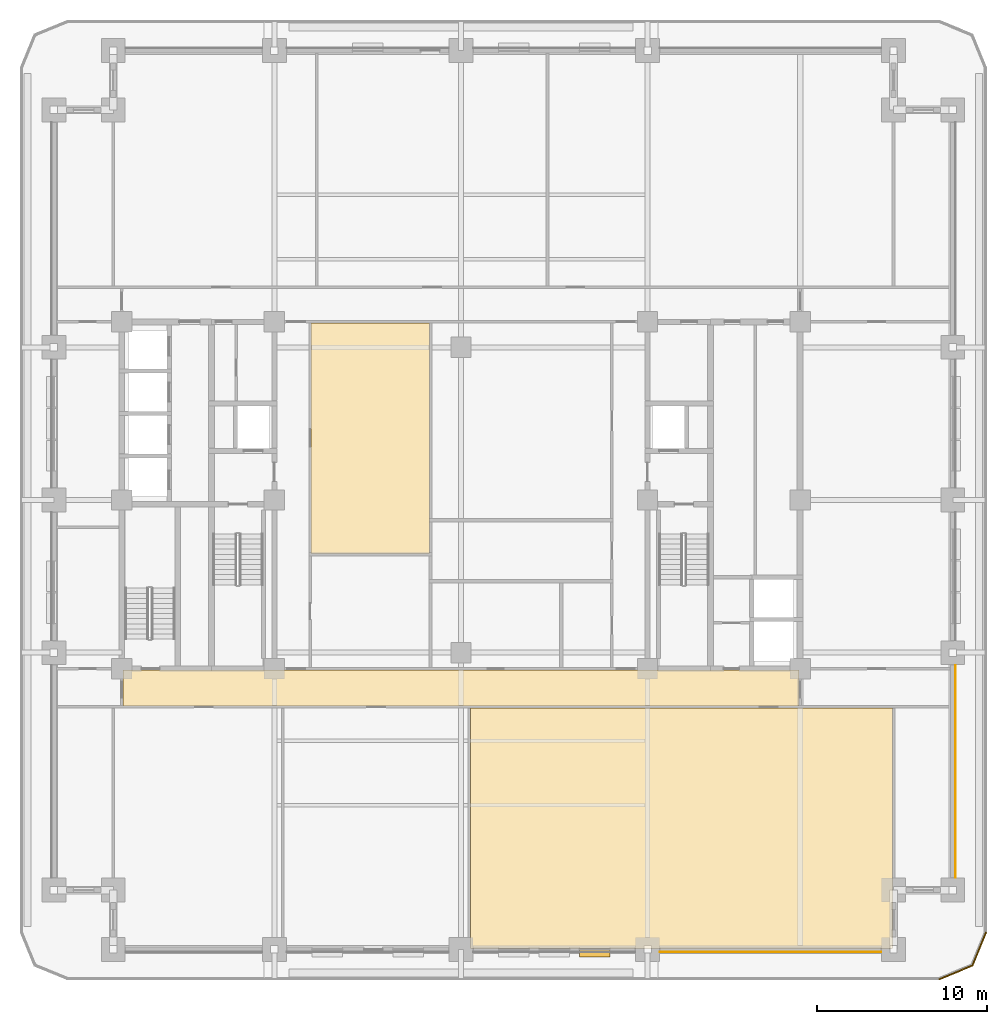
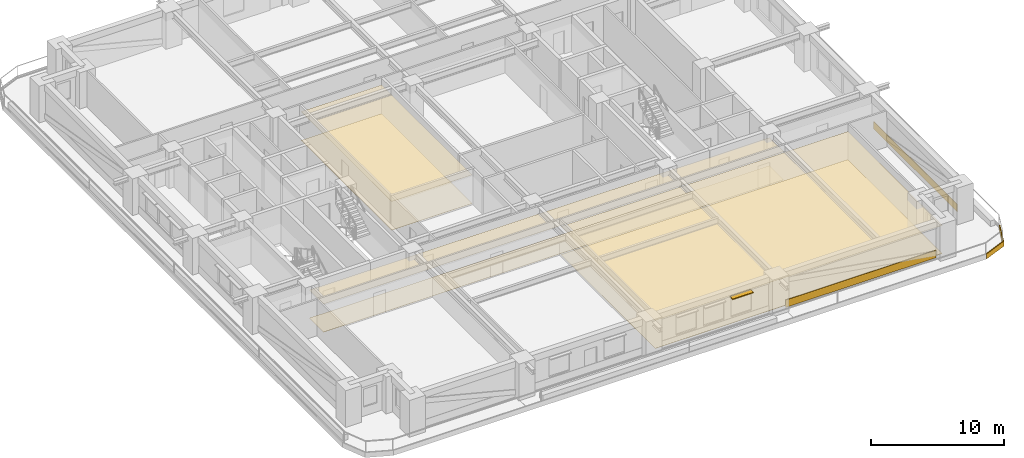
# One storey, part 11 of 13: 10 coverings, 1 shading device.
"""IFC4 building model written with IfcOpenShell, lengths in metres."""

from ifc_helpers import new_model, si_unit, direction, frame, frame_2d, origin, place, context, subcontext, project, spatial, polyline, rectangle, outline, extrude, material, layer, layer_set, type_object, element, save


model = new_model("IFC4")

# Units and contexts
model_context = context("Model", 3, precision=1e-05, world=origin(), true_north=direction((0.0, 1.0)))
body_context = subcontext(model_context, "Body", "Model", "MODEL_VIEW")
ifc_project = project(units=[si_unit("LENGTHUNIT", "METRE"), si_unit("AREAUNIT", "SQUARE_METRE"), si_unit("VOLUMEUNIT", "CUBIC_METRE"), si_unit("PLANEANGLEUNIT", "RADIAN"), si_unit("MASSUNIT", "GRAM", prefix="KILO")], contexts=[model_context])

# Site, building, storey
site_placement = place(None, origin())
site = spatial("IfcSite", under=ifc_project, at=site_placement, CompositionType="ELEMENT")
building_placement = place(site_placement, origin())
building = spatial("IfcBuilding", under=site, at=building_placement, Name="Zulmaris Gate Convention Tower", CompositionType="ELEMENT")
storey_placement = place(building_placement, frame((0.0, 0.0, 34.340087890625)))
storey = spatial("IfcBuildingStorey", under=building, at=storey_placement, Name="L07", CompositionType="ELEMENT", Elevation=34.340087890625)

# Coverings
ifc_material_1 = material(Name="Precast concrete C40/50", Category="concrete")
ifc_layer_1 = layer(ifc_material_1, 0.0400390625, Name="Precast concrete C40/50")
ifc_layer_set_1 = layer_set([ifc_layer_1], Name="Precast concrete C40/50")
covering_type_1 = type_object("IfcCoveringType", Name="CLAD-SPANDREL-PRECAST", PredefinedType="CLADDING", material=ifc_layer_set_1)
covering_1_placement = place(storey_placement, frame((11.72998046875, -26.64990234375, 0.0), z_axis=(0.0, 0.0, 1.0), x_axis=(1.0, 0.0, 0.0)))
element("IfcCovering", 1, at=covering_1_placement, inside=storey, type_object=covering_type_1, Name="CLD-L07-S-3_0", PredefinedType="CLADDING", context=body_context, shape_type="SweptSolid", body=[
    extrude(rectangle(XDim=13.0400390625, YDim=0.0400390625, at=frame_2d((6.52001953125, 0.0))), origin(), (0.0, 0.0, 1.0), 0.679931640625),
])
covering_2_placement = place(storey_placement, frame((29.14990234375, -22.27001953125, 0.0), z_axis=(0.0, 0.0, 1.0), x_axis=(0.0, 1.0, 0.0)))
element("IfcCovering", 2, at=covering_2_placement, inside=storey, type_object=covering_type_1, Name="CLD-L07-E-0_0", PredefinedType="CLADDING", context=body_context, shape_type="SweptSolid", body=[
    extrude(rectangle(XDim=12.5400390625, YDim=0.0400390625, at=frame_2d((6.27001953125, 0.0))), origin(), (0.0, 0.0, 1.0), 0.679931640625),
])
ifc_material_2 = material(Name="White Glazed Architectural Precast Concrete C40/50", Category="concrete")
ifc_layer_2 = layer(ifc_material_2, 0.080078125, Name="White Glazed Architectural Precast Concrete C40/50")
ifc_layer_set_2 = layer_set([ifc_layer_2], Name="White Glazed Architectural Precast Concrete C40/50")
covering_type_2 = type_object("IfcCoveringType", Name="CLAD-TRAY-FASCIA", PredefinedType="CLADDING", material=ifc_layer_set_2)
covering_3_placement = place(storey_placement, frame((28.184814453125, -28.262939453125, -0.340087890625), z_axis=(0.0, 0.0, 1.0), x_axis=(0.923873803533, 0.382697263049, 0.0)))
element("IfcCovering", 3, at=covering_3_placement, inside=storey, type_object=covering_type_2, Name="FSC-L07-TR-03", PredefinedType="CLADDING", context=body_context, shape_type="SweptSolid", body=[
    extrude(rectangle(XDim=2.142822265625, YDim=0.080078125, at=frame_2d((1.0712890625, 0.0))), origin(), (0.0, 0.0, 1.0), 0.460205078125),
])
covering_4_placement = place(storey_placement, frame((30.142822265625, -27.464599609375, -0.340087890625), z_axis=(0.0, 0.0, 1.0), x_axis=(0.382656984709, 0.923890487046, 0.0)))
element("IfcCovering", 4, at=covering_4_placement, inside=storey, type_object=covering_type_2, Name="FSC-L07-TR-04", PredefinedType="CLADDING", context=body_context, shape_type="SweptSolid", body=[
    extrude(rectangle(XDim=2.14306640625, YDim=0.080078125, at=frame_2d((1.071533203125, 0.0))), origin(), (0.0, 0.0, 1.0), 0.460205078125),
])
ifc_material_3 = material(Name="Mineral Fibre Acoustic Ceiling Tile")
ifc_layer_3 = layer(ifc_material_3, 0.02001953125, Name="Mineral Fibre Acoustic Ceiling Tile")
ifc_layer_set_3 = layer_set([ifc_layer_3], Name="Mineral Fibre Acoustic Ceiling Tile")
covering_type_3 = type_object("IfcCoveringType", Name="CLG-ACOUSTIC-600", PredefinedType="CEILING", material=ifc_layer_set_3)
covering_5_placement = place(storey_placement, frame((0.0, 0.0, 2.577880859375)))
element("IfcCovering", 5, at=covering_5_placement, inside=storey, type_object=covering_type_3, Name="CLG-L07-R30", PredefinedType="CEILING", context=body_context, shape_type="SweptSolid", body=[
    extrude(outline(polyline([(-19.93994140625, -12.139892578125), (19.93994140625, -12.139892578125), (19.93994140625, -10.010009765625), (-19.93994140625, -10.010009765625), (-19.93994140625, -12.139892578125)])), origin(), (0.0, 0.0, 1.0), 0.02001953125),
])
covering_6_placement = place(storey_placement, frame((0.0, 0.0, 2.577880859375)))
element("IfcCovering", 6, at=covering_6_placement, inside=storey, type_object=covering_type_3, Name="CLG-L07-R38", PredefinedType="CEILING", context=body_context, shape_type="SweptSolid", body=[
    extrude(outline(polyline([(0.56005859375, -26.43994140625), (25.43994140625, -26.43994140625), (25.43994140625, -12.260009765625), (0.56005859375, -12.260009765625), (0.56005859375, -26.43994140625)])), origin(), (0.0, 0.0, 1.0), 0.02001953125),
])
covering_7_placement = place(storey_placement, frame((0.0, 0.0, 2.6279296875)))
element("IfcCovering", 7, at=covering_7_placement, inside=storey, type_object=covering_type_3, Name="CLG-L07-R39", PredefinedType="CEILING", context=body_context, shape_type="SweptSolid", body=[
    extrude(outline(polyline([(-8.840087890625, -3.139892578125), (-1.860107421875, -3.139892578125), (-1.860107421875, 10.43994140625), (-8.840087890625, 10.43994140625), (-8.840087890625, -3.139892578125)])), origin(), (0.0, 0.0, 1.0), 0.019775390625),
])
ifc_material_4 = material(Name="Woven Acoustic Wool Carpet Tile")
ifc_layer_4 = layer(ifc_material_4, 0.02001953125, Name="Woven Acoustic Wool Carpet Tile")
ifc_layer_set_4 = layer_set([ifc_layer_4], Name="Woven Acoustic Wool Carpet Tile")
covering_type_4 = type_object("IfcCoveringType", Name="FLR-CARPET-12", PredefinedType="FLOORING", material=ifc_layer_set_4)
covering_8_placement = place(storey_placement, origin())
element("IfcCovering", 8, at=covering_8_placement, inside=storey, type_object=covering_type_4, Name="FLR-L07-R30", PredefinedType="FLOORING", context=body_context, shape_type="SweptSolid", body=[
    extrude(outline(polyline([(-19.93994140625, -12.139892578125), (19.93994140625, -12.139892578125), (19.93994140625, -10.010009765625), (-19.93994140625, -10.010009765625), (-19.93994140625, -12.139892578125)])), origin(), (0.0, 0.0, 1.0), 0.02001953125),
])
covering_9_placement = place(storey_placement, origin())
element("IfcCovering", 9, at=covering_9_placement, inside=storey, type_object=covering_type_4, Name="FLR-L07-R38", PredefinedType="FLOORING", context=body_context, shape_type="SweptSolid", body=[
    extrude(outline(polyline([(0.56005859375, -26.43994140625), (25.43994140625, -26.43994140625), (25.43994140625, -12.260009765625), (0.56005859375, -12.260009765625), (0.56005859375, -26.43994140625)])), origin(), (0.0, 0.0, 1.0), 0.02001953125),
])
ifc_material_5 = material(Name="Engineered Teak Parquet Flooring")
ifc_layer_5 = layer(ifc_material_5, 0.02001953125, Name="Engineered Teak Parquet Flooring")
ifc_layer_set_5 = layer_set([ifc_layer_5], Name="Engineered Teak Parquet Flooring")
covering_type_5 = type_object("IfcCoveringType", Name="FLR-TIMBER-18", PredefinedType="FLOORING", material=ifc_layer_set_5)
covering_10_placement = place(storey_placement, origin())
element("IfcCovering", 10, at=covering_10_placement, inside=storey, type_object=covering_type_5, Name="FLR-L07-R39", PredefinedType="FLOORING", context=body_context, shape_type="SweptSolid", body=[
    extrude(outline(polyline([(-8.840087890625, -3.139892578125), (-1.860107421875, -3.139892578125), (-1.860107421875, 10.43994140625), (-8.840087890625, 10.43994140625), (-8.840087890625, -3.139892578125)])), origin(), (0.0, 0.0, 1.0), 0.02001953125),
])

# Shading device
ifc_material_6 = material(Name="Glazed Ceramic Terracotta", Category="masonry")
ifc_layer_6 = layer(ifc_material_6, 0.070068359375, Name="Glazed Ceramic Terracotta")
ifc_layer_set_6 = layer_set([ifc_layer_6], Name="Glazed Ceramic Terracotta")
shading_device_type = type_object("IfcShadingDeviceType", Name="SHD-SUNSHADE-TC", PredefinedType="AWNING", material=ifc_layer_set_6)
shading_device_placement = place(storey_placement, frame((6.985107421875, -26.719970703125, 2.530029296875), z_axis=(0.0, 0.0, 1.0), x_axis=(1.0, 0.0, 0.0)))
element("IfcShadingDevice", 11, at=shading_device_placement, inside=storey, type_object=shading_device_type, Name="SHD-EW-L07-S-2_0-3", PredefinedType="AWNING", context=body_context, shape_type="SweptSolid", body=[
    extrude(rectangle(XDim=1.7998046875, YDim=0.43994140625, at=frame_2d((0.89990234375, 0.0))), origin(), (0.0, 0.0, 1.0), 0.070068359375),
])

save(model, "model.ifc")
